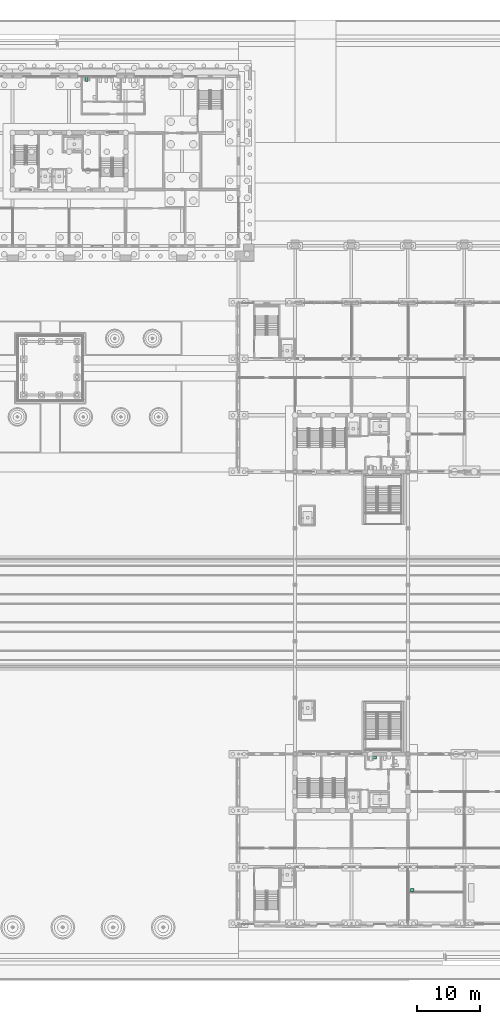
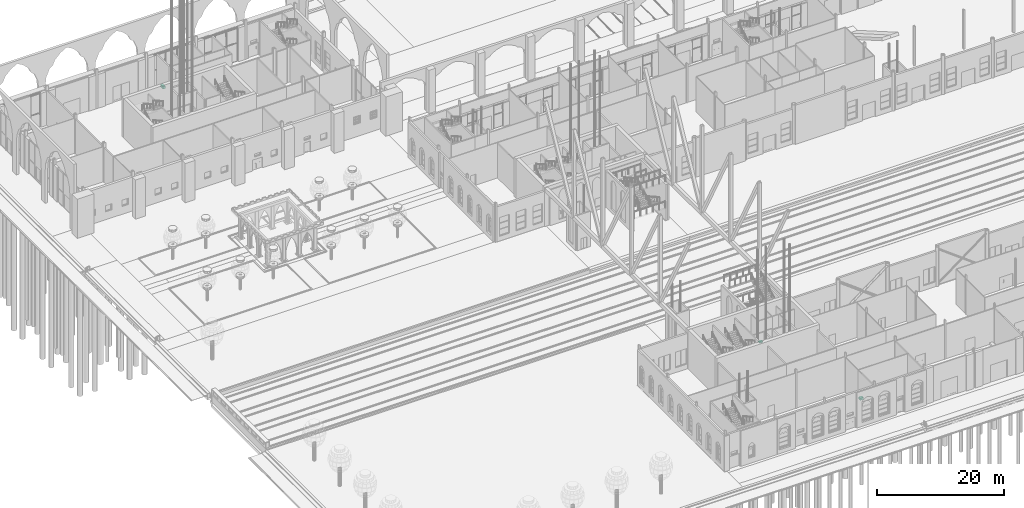
# One storey, part 232 of 250: 3 sanitary terminals.
"""IFC4 building model written with IfcOpenShell, lengths in metres."""

from ifc_helpers import new_model, si_unit, direction, frame, origin, origin_2d, place, context, subcontext, project, spatial, rectangle, extrude, material, type_object, element, save


model = new_model("IFC4")

# Units and contexts
model_context = context("Model", 3, precision=1e-05, world=origin(), true_north=direction((0.0, 1.0)))
body_context = subcontext(model_context, "Body", "Model", "MODEL_VIEW")
ifc_project = project(units=[si_unit("LENGTHUNIT", "METRE"), si_unit("AREAUNIT", "SQUARE_METRE"), si_unit("VOLUMEUNIT", "CUBIC_METRE"), si_unit("PLANEANGLEUNIT", "RADIAN"), si_unit("MASSUNIT", "GRAM", prefix="KILO")], contexts=[model_context])

# Site, building, storey
site_placement = place(None, origin())
site = spatial("IfcSite", under=ifc_project, at=site_placement, CompositionType="ELEMENT")
building_placement = place(site_placement, origin())
building = spatial("IfcBuilding", under=site, at=building_placement, Name="Baradari Gate Terminus", CompositionType="ELEMENT")
storey_placement = place(building_placement, origin())
storey = spatial("IfcBuildingStorey", under=building, at=storey_placement, Name="L00", CompositionType="ELEMENT", Elevation=0.0)

# Sanitary terminals
ifc_material_1 = material(Name="Vitreous china", Category="ceramic")
sanitary_terminal_type_1 = type_object("IfcSanitaryTerminalType", Name="Accessible WC pan SW-5", PredefinedType="TOILETPAN", material=ifc_material_1)
sanitary_terminal_1_placement = place(storey_placement, frame((38.83740234375, 143.60009765625, 0.0), z_axis=(0.0, 0.0, 1.0), x_axis=(1.0, 0.0, 0.0)))
element("IfcSanitaryTerminal", 1, at=sanitary_terminal_1_placement, inside=storey, type_object=sanitary_terminal_type_1, Name="Accessible WC pan Accessible WC", PredefinedType="TOILETPAN", context=body_context, shape_type="SweptSolid", body=[
    extrude(rectangle(XDim=0.39990234375, YDim=0.800048828125, at=origin_2d()), origin(), (0.0, 0.0, 1.0), 0.47998046875),
])
ifc_material_2 = material(Name="Vitreous china", Category="ceramic")
sanitary_terminal_type_2 = type_object("IfcSanitaryTerminalType", Name="Accessible wash basin SW-6", PredefinedType="WASHHANDBASIN", material=ifc_material_2)
sanitary_terminal_2_placement = place(storey_placement, frame((84.699951171875, 35.449951171875, 0.75), z_axis=(0.0, 0.0, 1.0), x_axis=(1.0, 0.0, 0.0)))
element("IfcSanitaryTerminal", 2, at=sanitary_terminal_2_placement, inside=storey, type_object=sanitary_terminal_type_2, Name="Accessible wash basin Accessible WC", PredefinedType="WASHHANDBASIN", context=body_context, shape_type="SweptSolid", body=[
    extrude(rectangle(XDim=0.60009765625, YDim=0.5, at=origin_2d()), origin(), (0.0, 0.0, 1.0), 0.199951171875),
])
ifc_material_3 = material(Name="Vitreous china", Category="ceramic")
sanitary_terminal_type_3 = type_object("IfcSanitaryTerminalType", Name="Cleaner's sink SW-4", PredefinedType="SINK", material=ifc_material_3)
sanitary_terminal_3_placement = place(storey_placement, frame((90.675048828125, 14.324951171875, 0.550048828125), z_axis=(0.0, 0.0, 1.0), x_axis=(1.0, 0.0, 0.0)))
element("IfcSanitaryTerminal", 3, at=sanitary_terminal_3_placement, inside=storey, type_object=sanitary_terminal_type_3, Name="Cleaner's sink Cleaner's Store 2", PredefinedType="SINK", context=body_context, shape_type="SweptSolid", body=[
    extrude(rectangle(XDim=0.60009765625, YDim=0.5, at=origin_2d()), origin(), (0.0, 0.0, 1.0), 0.39990234375),
])

save(model, "model.ifc")
